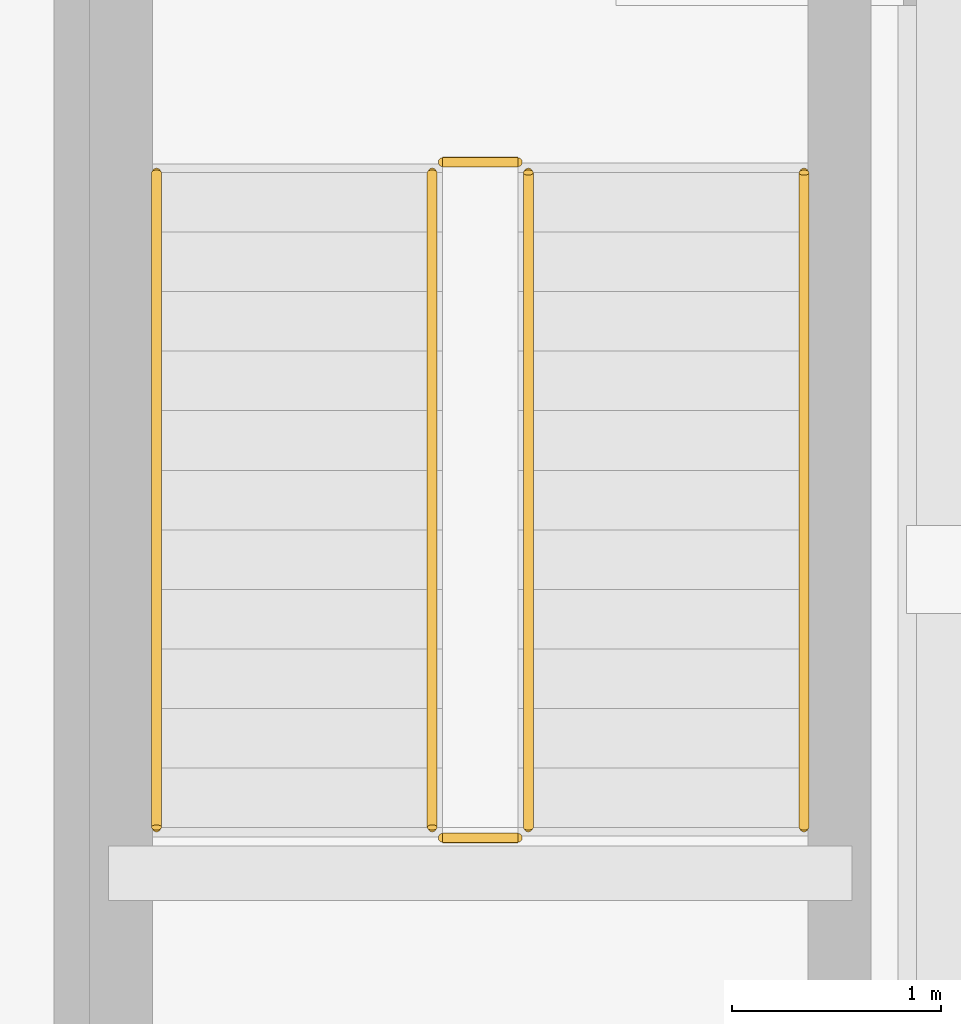
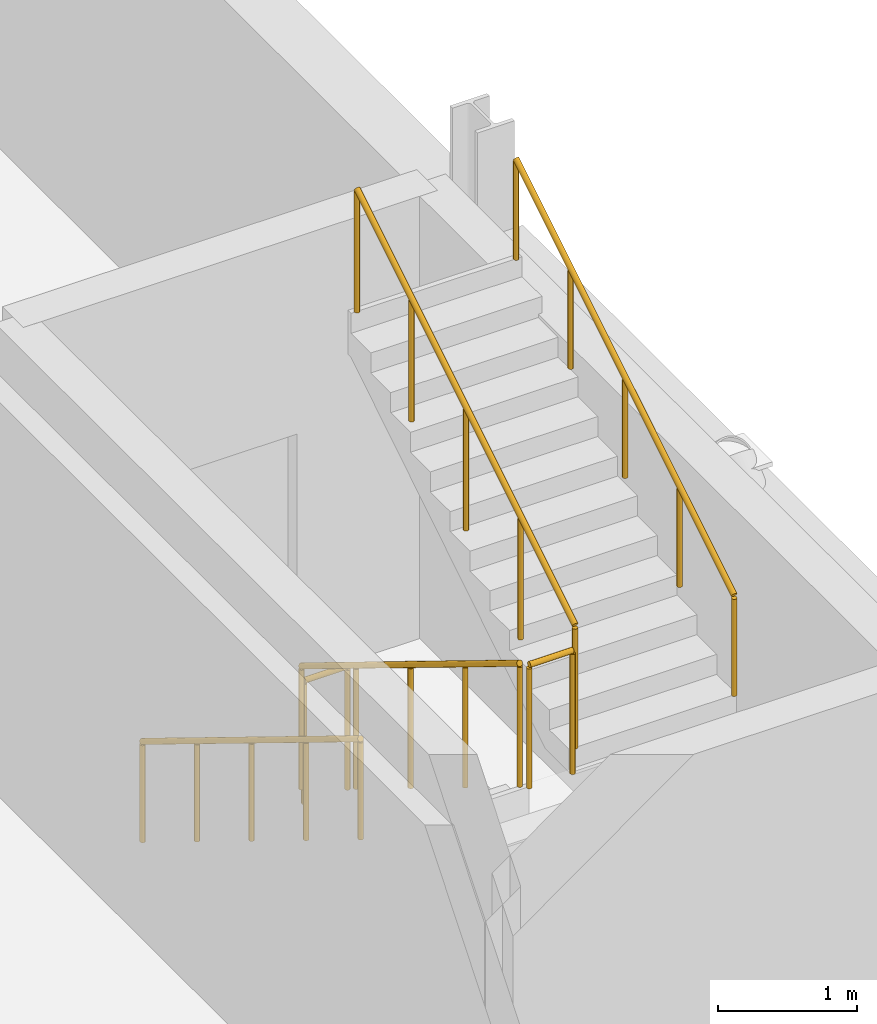
# One storey, part 49 of 50: 6 railings.
"""IFC4 building model written with IfcOpenShell, lengths in metres."""

from ifc_helpers import new_model, si_unit, direction, frame, origin, origin_2d, place, context, subcontext, project, spatial, circle, extrude, material, layer, layer_set, type_object, element, save


model = new_model("IFC4")

# Units and contexts
model_context = context("Model", 3, precision=1e-05, world=origin(), true_north=direction((0.0, 1.0)))
body_context = subcontext(model_context, "Body", "Model", "MODEL_VIEW")
ifc_project = project(units=[si_unit("LENGTHUNIT", "METRE"), si_unit("AREAUNIT", "SQUARE_METRE"), si_unit("VOLUMEUNIT", "CUBIC_METRE"), si_unit("PLANEANGLEUNIT", "RADIAN"), si_unit("MASSUNIT", "GRAM", prefix="KILO")], contexts=[model_context])

# Site, building, storey
site_placement = place(None, origin())
site = spatial("IfcSite", under=ifc_project, at=site_placement, CompositionType="ELEMENT")
building_placement = place(site_placement, origin())
building = spatial("IfcBuilding", under=site, at=building_placement, Name="Narikvali Park Central Library", CompositionType="ELEMENT")
storey_placement = place(building_placement, frame((0.0, 0.0, -4.199951171875)))
storey = spatial("IfcBuildingStorey", under=building, at=storey_placement, Name="B1", CompositionType="ELEMENT", Elevation=-4.199951171875)

# Railings
ifc_material_1 = material(Name="Brushed Stainless Steel S355", Category="steel")
ifc_layer_1 = layer(ifc_material_1, 0.044921875, Name="Brushed Stainless Steel S355")
ifc_layer_set_1 = layer_set([ifc_layer_1], Name="Brushed Stainless Steel S355")
railing_type_1 = type_object("IfcRailingType", Name="Stair Tubular Steel Handrail 900", PredefinedType="HANDRAIL", material=ifc_layer_set_1)
railing_1_placement = place(storey_placement, frame((161.800048828125, 19.89990234375, 0.175048828125)))
element("IfcRailing", 1, at=railing_1_placement, inside=storey, type_object=railing_type_1, Name="B1 ST-12 stair handrail 1", PredefinedType="HANDRAIL", context=body_context, shape_type="SweptSolid", body=[
    extrude(circle(Radius=0.02392578125, at=origin_2d()), frame((0.0, 0.0, 0.8759765625), z_axis=(0.0, -0.852195625947, 0.523223293744), x_axis=(1.0, 0.0, 0.0)), (0.0, 0.0, 1.0), 3.6787109375),
    extrude(circle(Radius=0.02099609375, at=origin_2d()), origin(), (0.0, 0.0, 1.0), 0.851806640625),
    extrude(circle(Radius=0.02099609375, at=origin_2d()), frame((0.0, -0.78369140625, 0.481201171875)), (0.0, 0.0, 1.0), 0.851806640625),
    extrude(circle(Radius=0.02099609375, at=origin_2d()), frame((0.0, -1.5673828125, 0.96240234375)), (0.0, 0.0, 1.0), 0.851806640625),
    extrude(circle(Radius=0.02099609375, at=origin_2d()), frame((0.0, -2.351318359375, 1.443603515625)), (0.0, 0.0, 1.0), 0.851806640625),
    extrude(circle(Radius=0.02099609375, at=origin_2d()), frame((0.0, -3.135009765625, 1.9248046875)), (0.0, 0.0, 1.0), 0.851806640625),
])
railing_2_placement = place(storey_placement, frame((164.89990234375, 16.764892578125, 2.27490234375)))
element("IfcRailing", 2, at=railing_2_placement, inside=storey, type_object=railing_type_1, Name="B1 ST-12 stair handrail 2", PredefinedType="HANDRAIL", context=body_context, shape_type="SweptSolid", body=[
    extrude(circle(Radius=0.02392578125, at=origin_2d()), frame((0.0, 0.0, 0.8759765625), z_axis=(0.0, 0.852166034122, 0.523271488128), x_axis=(-1.0, 0.0, 0.0)), (0.0, 0.0, 1.0), 3.678955078125),
    extrude(circle(Radius=0.02099609375, at=origin_2d()), origin(), (0.0, 0.0, 1.0), 0.851806640625),
    extrude(circle(Radius=0.02099609375, at=origin_2d()), frame((0.0, 0.78369140625, 0.481201171875)), (0.0, 0.0, 1.0), 0.851806640625),
    extrude(circle(Radius=0.02099609375, at=origin_2d()), frame((0.0, 1.5673828125, 0.96240234375)), (0.0, 0.0, 1.0), 0.851806640625),
    extrude(circle(Radius=0.02099609375, at=origin_2d()), frame((0.0, 2.351318359375, 1.44384765625)), (0.0, 0.0, 1.0), 0.851806640625),
    extrude(circle(Radius=0.02099609375, at=origin_2d()), frame((0.0, 3.135009765625, 1.925048828125)), (0.0, 0.0, 1.0), 0.851806640625),
])
ifc_material_2 = material(Name="Powder-Coated Steel S275", Category="steel")
ifc_layer_2 = layer(ifc_material_2, 0.050048828125, Name="Powder-Coated Steel S275")
ifc_layer_set_2 = layer_set([ifc_layer_2], Name="Powder-Coated Steel S275")
railing_type_2 = type_object("IfcRailingType", Name="Stair Well Steel Guardrail 1100", PredefinedType="GUARDRAIL", material=ifc_layer_set_2)
railing_3_placement = place(storey_placement, frame((163.1201171875, 19.89990234375, 0.175048828125)))
element("IfcRailing", 3, at=railing_3_placement, inside=storey, type_object=railing_type_2, Name="B1 ST-12 stair guard 1", PredefinedType="GUARDRAIL", context=body_context, shape_type="SweptSolid", body=[
    extrude(circle(Radius=0.02392578125, at=origin_2d()), frame((0.0, 0.0, 1.076171875), z_axis=(0.0, -0.852195625947, 0.523223293744), x_axis=(1.0, 0.0, 0.0)), (0.0, 0.0, 1.0), 3.6787109375),
    extrude(circle(Radius=0.02099609375, at=origin_2d()), origin(), (0.0, 0.0, 1.0), 1.052001953125),
    extrude(circle(Radius=0.02099609375, at=origin_2d()), frame((0.0, -0.78369140625, 0.481201171875)), (0.0, 0.0, 1.0), 1.052001953125),
    extrude(circle(Radius=0.02099609375, at=origin_2d()), frame((0.0, -1.5673828125, 0.96240234375)), (0.0, 0.0, 1.0), 1.052001953125),
    extrude(circle(Radius=0.02099609375, at=origin_2d()), frame((0.0, -2.351318359375, 1.443603515625)), (0.0, 0.0, 1.0), 1.052001953125),
    extrude(circle(Radius=0.02099609375, at=origin_2d()), frame((0.0, -3.135009765625, 1.9248046875)), (0.0, 0.0, 1.0), 1.052001953125),
])
railing_4_placement = place(storey_placement, frame((163.169921875, 16.715087890625, 2.099853515625)))
element("IfcRailing", 4, at=railing_4_placement, inside=storey, type_object=railing_type_2, Name="B1 ST-12 stair guard 2", PredefinedType="GUARDRAIL", context=body_context, shape_type="SweptSolid", body=[
    extrude(circle(Radius=0.02392578125, at=origin_2d()), frame((0.0, 0.0, 1.076171875), z_axis=(1.0, 0.0, 0.0), x_axis=(0.0, 1.0, 0.0)), (0.0, 0.0, 1.0), 0.360107421875),
    extrude(circle(Radius=0.02099609375, at=origin_2d()), origin(), (0.0, 0.0, 1.0), 1.052001953125),
    extrude(circle(Radius=0.02099609375, at=origin_2d()), frame((0.360107421875, 0.0, 0.0)), (0.0, 0.0, 1.0), 1.052001953125),
])
railing_5_placement = place(storey_placement, frame((163.580078125, 16.764892578125, 2.27490234375)))
element("IfcRailing", 5, at=railing_5_placement, inside=storey, type_object=railing_type_2, Name="B1 ST-12 stair guard 3", PredefinedType="GUARDRAIL", context=body_context, shape_type="SweptSolid", body=[
    extrude(circle(Radius=0.02392578125, at=origin_2d()), frame((0.0, 0.0, 1.076171875), z_axis=(0.0, 0.852166034122, 0.523271488128), x_axis=(-1.0, 0.0, 0.0)), (0.0, 0.0, 1.0), 3.678955078125),
    extrude(circle(Radius=0.02099609375, at=origin_2d()), origin(), (0.0, 0.0, 1.0), 1.052001953125),
    extrude(circle(Radius=0.02099609375, at=origin_2d()), frame((0.0, 0.78369140625, 0.481201171875)), (0.0, 0.0, 1.0), 1.052001953125),
    extrude(circle(Radius=0.02099609375, at=origin_2d()), frame((0.0, 1.5673828125, 0.96240234375)), (0.0, 0.0, 1.0), 1.052001953125),
    extrude(circle(Radius=0.02099609375, at=origin_2d()), frame((0.0, 2.351318359375, 1.44384765625)), (0.0, 0.0, 1.0), 1.052001953125),
    extrude(circle(Radius=0.02099609375, at=origin_2d()), frame((0.0, 3.135009765625, 1.925048828125)), (0.0, 0.0, 1.0), 1.052001953125),
])
railing_6_placement = place(storey_placement, frame((163.169921875, 19.949951171875, 0.0)))
element("IfcRailing", 6, at=railing_6_placement, inside=storey, type_object=railing_type_2, Name="B1 ST-12 stair guard 4", PredefinedType="GUARDRAIL", context=body_context, shape_type="SweptSolid", body=[
    extrude(circle(Radius=0.02392578125, at=origin_2d()), frame((0.0, 0.0, 1.076171875), z_axis=(1.0, 0.0, 0.0), x_axis=(0.0, 1.0, 0.0)), (0.0, 0.0, 1.0), 0.360107421875),
    extrude(circle(Radius=0.02099609375, at=origin_2d()), origin(), (0.0, 0.0, 1.0), 1.052001953125),
    extrude(circle(Radius=0.02099609375, at=origin_2d()), frame((0.360107421875, 0.0, 0.0)), (0.0, 0.0, 1.0), 1.052001953125),
])

save(model, "model.ifc")
